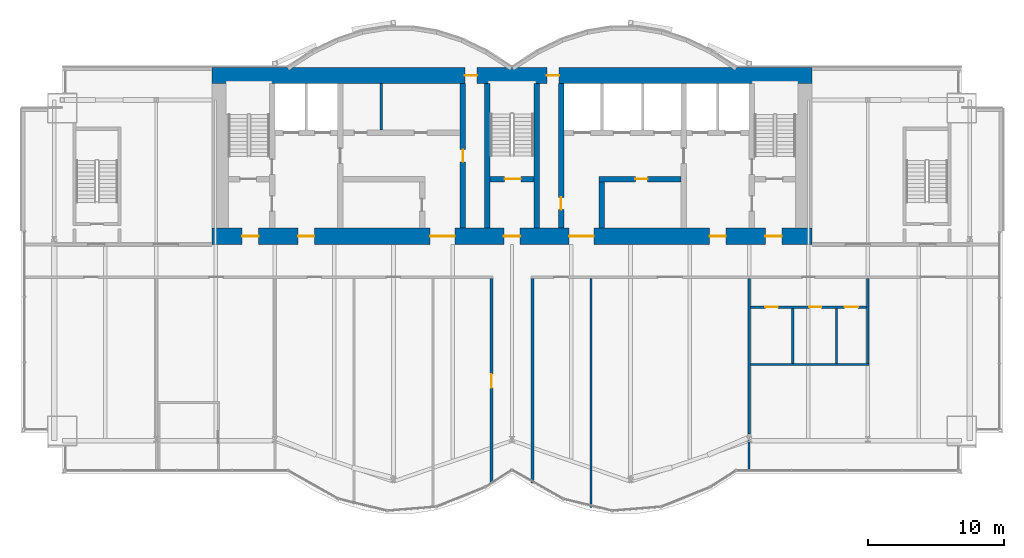
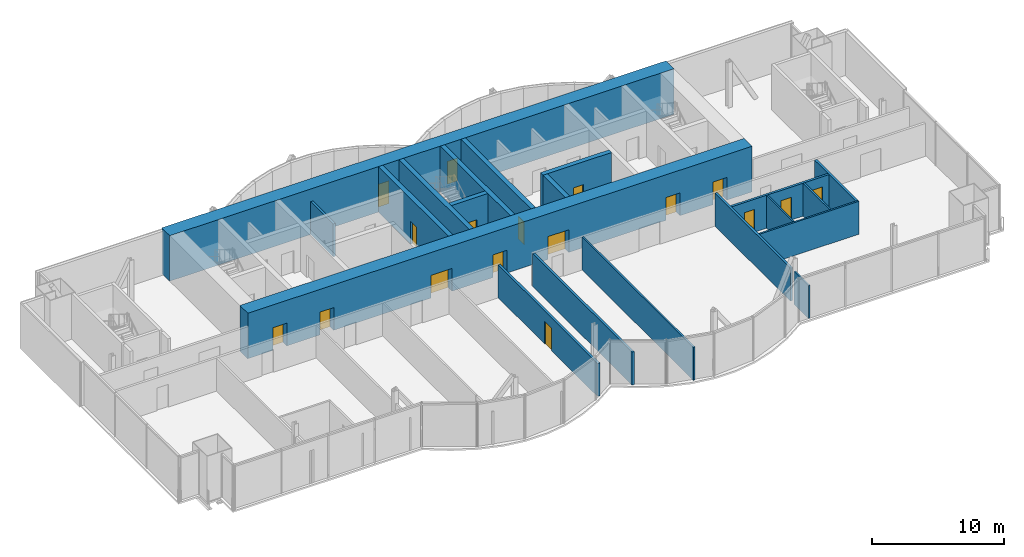
# One storey, part 15 of 20: 20 walls, 17 doors, 17 openings.
"""IFC4 building model written with IfcOpenShell, lengths in metres."""

from ifc_helpers import new_model, si_unit, direction, frame, frame_2d, origin, place, context, subcontext, project, spatial, rectangle, extrude, material, layer, layer_set, type_object, element, fill, save


model = new_model("IFC4")

# Units and contexts
model_context = context("Model", 3, precision=1e-05, world=origin(), true_north=direction((0.0, 1.0)))
body_context = subcontext(model_context, "Body", "Model", "MODEL_VIEW")
ifc_project = project(units=[si_unit("LENGTHUNIT", "METRE"), si_unit("AREAUNIT", "SQUARE_METRE"), si_unit("VOLUMEUNIT", "CUBIC_METRE"), si_unit("PLANEANGLEUNIT", "RADIAN"), si_unit("MASSUNIT", "GRAM", prefix="KILO")], contexts=[model_context])

# Site, building, storey
site_placement = place(None, origin())
site = spatial("IfcSite", under=ifc_project, at=site_placement, CompositionType="ELEMENT")
building_placement = place(site_placement, origin())
building = spatial("IfcBuilding", under=site, at=building_placement, Name="Bicima Exchange Tower", CompositionType="ELEMENT")
storey_placement = place(building_placement, frame((0.0, 0.0, 249.800048828125)))
storey = spatial("IfcBuildingStorey", under=building, at=storey_placement, Name="L56", CompositionType="ELEMENT", Elevation=249.800048828125)

# Wall, openings, doors
ifc_material_1 = material(Name="Gypsum board partition")
ifc_layer_1 = layer(ifc_material_1, 0.199951171875)
ifc_layer_set_1 = layer_set([ifc_layer_1], Name="Gypsum board partition")
wall_type_1 = type_object("IfcWallType", Name="Fire-rated gypsum partition 200 EI60", PredefinedType="PARTITIONING", material=ifc_layer_set_1)
wall_1_placement = place(storey_placement, frame((17.5, -17.60009765625, 0.0), z_axis=(0.0, 0.0, 1.0), x_axis=(1.0, 0.0, 0.0)))
wall_1 = element("IfcWall", 1, at=wall_1_placement, inside=storey, type_object=wall_type_1, Name="partition wall 3", PredefinedType="PARTITIONING", context=body_context, shape_type="SweptSolid", body=[
    extrude(rectangle(XDim=8.5, YDim=0.199951171875, at=frame_2d((4.25, 0.0))), origin(), (0.0, 0.0, 1.0), 3.039306640625),
])
opening_1_placement = place(wall_1_placement, frame((1.10009765625, 0.0, 0.0)))
opening_1 = element("IfcOpeningElement", 2, at=opening_1_placement, cuts=wall_1, Name="Opening L56-015", PredefinedType="OPENING", context=body_context, shape_type="SweptSolid", body=[
    extrude(rectangle(XDim=0.89990234375, YDim=2.10009765625, at=frame_2d((0.449951171875, 1.050048828125))), frame((0.0, 0.11181640625, 0.0), z_axis=(0.0, -1.0, 0.0), x_axis=(1.0, 0.0, 0.0)), (0.0, 0.0, 1.0), 0.223876953125),
])
opening_2_placement = place(wall_1_placement, frame((4.300048828125, 0.0, 0.0)))
opening_2 = element("IfcOpeningElement", 3, at=opening_2_placement, cuts=wall_1, Name="Opening L56-016", PredefinedType="OPENING", context=body_context, shape_type="SweptSolid", body=[
    extrude(rectangle(XDim=0.89990234375, YDim=2.10009765625, at=frame_2d((0.449951171875, 1.050048828125))), frame((0.0, 0.11181640625, 0.0), z_axis=(0.0, -1.0, 0.0), x_axis=(1.0, 0.0, 0.0)), (0.0, 0.0, 1.0), 0.223876953125),
])
opening_3_placement = place(wall_1_placement, frame((6.89990234375, 0.0, 0.0)))
opening_3 = element("IfcOpeningElement", 4, at=opening_3_placement, cuts=wall_1, Name="Opening L56-017", PredefinedType="OPENING", context=body_context, shape_type="SweptSolid", body=[
    extrude(rectangle(XDim=1.0, YDim=2.10009765625, at=frame_2d((0.5, 1.050048828125))), frame((0.0, 0.11181640625, 0.0), z_axis=(0.0, -1.0, 0.0), x_axis=(1.0, 0.0, 0.0)), (0.0, 0.0, 1.0), 0.223876953125),
])
ifc_material_2 = material(Name="Steel fire door leaf", Category="steel")
door_type_1 = type_object("IfcDoorType", Name="Door 1000 swing FD30S", OperationType="SINGLE_SWING_LEFT", PredefinedType="DOOR", material=ifc_material_2)
door_1_placement = place(opening_3_placement, frame((1.0, 0.0, 0.0), z_axis=(0.0, 0.0, 1.0), x_axis=(-1.0, 0.0, 0.0)))
door_1 = element("IfcDoor", 5, at=door_1_placement, inside=storey, type_object=door_type_1, Name="Door", OperationType="SINGLE_SWING_RIGHT", OverallHeight=2.10009765625, OverallWidth=1.0, PredefinedType="DOOR", context=body_context, shape_type="SweptSolid", body=[
    extrude(rectangle(XDim=1.0, YDim=2.10009765625, at=frame_2d((0.5, 1.050048828125))), frame((0.0, 0.02490234375, 0.0), z_axis=(0.0, -1.0, 0.0), x_axis=(1.0, 0.0, 0.0)), (0.0, 0.0, 1.0), 0.050048828125),
])
fill(opening_3, door_1)
door_type_2 = type_object("IfcDoorType", Name="Door 900 swing FD30S", OperationType="SINGLE_SWING_LEFT", PredefinedType="DOOR", material=ifc_material_2)
door_2_placement = place(opening_1_placement, frame((0.89990234375, 0.0, 0.0), z_axis=(0.0, 0.0, 1.0), x_axis=(-1.0, 0.0, 0.0)))
door_2 = element("IfcDoor", 6, at=door_2_placement, inside=storey, type_object=door_type_2, Name="Door", OperationType="SINGLE_SWING_RIGHT", OverallHeight=2.10009765625, OverallWidth=0.89990234375, PredefinedType="DOOR", context=body_context, shape_type="SweptSolid", body=[
    extrude(rectangle(XDim=0.89990234375, YDim=2.10009765625, at=frame_2d((0.449951171875, 1.050048828125))), frame((0.0, 0.02490234375, 0.0), z_axis=(0.0, -1.0, 0.0), x_axis=(1.0, 0.0, 0.0)), (0.0, 0.0, 1.0), 0.050048828125),
])
fill(opening_1, door_2)
door_3_placement = place(opening_2_placement, frame((0.89990234375, 0.0, 0.0), z_axis=(0.0, 0.0, 1.0), x_axis=(-1.0, 0.0, 0.0)))
door_3 = element("IfcDoor", 7, at=door_3_placement, inside=storey, type_object=door_type_2, Name="Door", OperationType="SINGLE_SWING_LEFT", OverallHeight=2.10009765625, OverallWidth=0.89990234375, PredefinedType="DOOR", context=body_context, shape_type="SweptSolid", body=[
    extrude(rectangle(XDim=0.89990234375, YDim=2.10009765625, at=frame_2d((0.449951171875, 1.050048828125))), frame((0.0, 0.02490234375, 0.0), z_axis=(0.0, -1.0, 0.0), x_axis=(1.0, 0.0, 0.0)), (0.0, 0.0, 1.0), 0.050048828125),
])
fill(opening_2, door_3)

# Wall, opening, door
wall_2_placement = place(storey_placement, frame((-1.5, -30.52001953125, 0.0), z_axis=(0.0, 0.0, 1.0), x_axis=(0.0, 1.0, 0.0)))
wall_2 = element("IfcWall", 8, at=wall_2_placement, inside=storey, type_object=wall_type_1, Name="partition wall 22", PredefinedType="PARTITIONING", context=body_context, shape_type="SweptSolid", body=[
    extrude(rectangle(XDim=15.02001953125, YDim=0.199951171875, at=frame_2d((7.510009765625, 0.0))), origin(), (0.0, 0.0, 1.0), 3.039306640625),
])
opening_4_placement = place(wall_2_placement, frame((7.0, 0.0, 0.0)))
opening_4 = element("IfcOpeningElement", 9, at=opening_4_placement, cuts=wall_2, Name="Opening L56-011", PredefinedType="OPENING", context=body_context, shape_type="SweptSolid", body=[
    extrude(rectangle(XDim=1.0, YDim=2.10009765625, at=frame_2d((0.5, 1.050048828125))), frame((0.0, 0.11181640625, 0.0), z_axis=(0.0, -1.0, 0.0), x_axis=(1.0, 0.0, 0.0)), (0.0, 0.0, 1.0), 0.223876953125),
])
door_4_placement = place(opening_4_placement, origin())
door_4 = element("IfcDoor", 10, at=door_4_placement, inside=storey, type_object=door_type_1, Name="Door", OperationType="SINGLE_SWING_LEFT", OverallHeight=2.10009765625, OverallWidth=1.0, PredefinedType="DOOR", context=body_context, shape_type="SweptSolid", body=[
    extrude(rectangle(XDim=1.0, YDim=2.10009765625, at=frame_2d((0.5, 1.050048828125))), frame((0.0, 0.02490234375, 0.0), z_axis=(0.0, -1.0, 0.0), x_axis=(1.0, 0.0, 0.0)), (0.0, 0.0, 1.0), 0.050048828125),
])
fill(opening_4, door_4)

# Walls
wall_3_placement = place(storey_placement, frame((1.5, -30.52001953125, 0.0), z_axis=(0.0, 0.0, 1.0), x_axis=(0.0, 1.0, 0.0)))
element("IfcWall", 11, at=wall_3_placement, inside=storey, type_object=wall_type_1, Name="partition wall 23", PredefinedType="PARTITIONING", context=body_context, shape_type="SweptSolid", body=[
    extrude(rectangle(XDim=15.02001953125, YDim=0.199951171875, at=frame_2d((7.510009765625, 0.0))), origin(), (0.0, 0.0, 1.0), 3.039306640625),
])
wall_4_placement = place(storey_placement, frame((17.39990234375, -26.91015625, 0.0), z_axis=(0.0, 0.0, 1.0), x_axis=(0.0, 1.0, 0.0)))
element("IfcWall", 12, at=wall_4_placement, inside=storey, type_object=wall_type_1, Name="partition wall 26", PredefinedType="PARTITIONING", context=body_context, shape_type="SweptSolid", body=[
    extrude(rectangle(XDim=11.41015625, YDim=0.199951171875, at=frame_2d((5.705078125, 0.0))), origin(), (0.0, 0.0, 1.0), 3.039306640625),
])
wall_5_placement = place(storey_placement, frame((26.10009765625, -21.72509765625, 0.0), z_axis=(0.0, 0.0, 1.0), x_axis=(0.0, 1.0, 0.0)))
element("IfcWall", 13, at=wall_5_placement, inside=storey, type_object=wall_type_1, Name="partition wall 29", PredefinedType="PARTITIONING", context=body_context, shape_type="SweptSolid", body=[
    extrude(rectangle(XDim=6.22509765625, YDim=0.199951171875, at=frame_2d((3.112548828125, 0.0))), origin(), (0.0, 0.0, 1.0), 3.039306640625),
])
wall_6_placement = place(storey_placement, frame((-9.60009765625, -4.60009765625, 0.0), z_axis=(0.0, 0.0, 1.0), x_axis=(0.0, 1.0, 0.0)))
element("IfcWall", 14, at=wall_6_placement, inside=storey, type_object=wall_type_1, Name="partition wall 11", PredefinedType="PARTITIONING", context=body_context, shape_type="SweptSolid", body=[
    extrude(rectangle(XDim=3.400146484375, YDim=0.199951171875, at=frame_2d((1.7001953125, 0.0))), origin(), (0.0, 0.0, 1.0), 3.039306640625),
])
ifc_layer_2 = layer(ifc_material_1, 0.14990234375)
ifc_layer_set_2 = layer_set([ifc_layer_2], Name="Gypsum board partition")
wall_type_2 = type_object("IfcWallType", Name="Gypsum partition 150", PredefinedType="PARTITIONING", material=ifc_layer_set_2)
wall_7_placement = place(storey_placement, frame((17.5, -21.800048828125, 0.0), z_axis=(0.0, 0.0, 1.0), x_axis=(1.0, 0.0, 0.0)))
element("IfcWall", 15, at=wall_7_placement, inside=storey, type_object=wall_type_2, Name="partition wall 2", PredefinedType="PARTITIONING", context=body_context, shape_type="SweptSolid", body=[
    extrude(rectangle(XDim=8.699951171875, YDim=0.14990234375, at=frame_2d((4.35009765625, 0.0))), origin(), (0.0, 0.0, 1.0), 3.039306640625),
])
wall_8_placement = place(storey_placement, frame((5.800048828125, -32.300048828125, 0.0), z_axis=(0.0, 0.0, 1.0), x_axis=(0.0, 1.0, 0.0)))
element("IfcWall", 16, at=wall_8_placement, inside=storey, type_object=wall_type_2, Name="partition wall 24", PredefinedType="PARTITIONING", context=body_context, shape_type="SweptSolid", body=[
    extrude(rectangle(XDim=16.800048828125, YDim=0.14990234375, at=frame_2d((8.39990234375, 0.0))), origin(), (0.0, 0.0, 1.0), 3.039306640625),
])
wall_9_placement = place(storey_placement, frame((17.39990234375, -29.590087890625, 0.0), z_axis=(0.0, 0.0, 1.0), x_axis=(0.0, 1.0, 0.0)))
element("IfcWall", 17, at=wall_9_placement, inside=storey, type_object=wall_type_2, Name="partition wall 25", PredefinedType="PARTITIONING", context=body_context, shape_type="SweptSolid", body=[
    extrude(rectangle(XDim=2.188232421875, YDim=0.14990234375, at=frame_2d((1.09423828125, 0.0))), origin(), (0.0, 0.0, 1.0), 3.039306640625),
])
for number, where, z_axis, x_axis, name in (
    (18, (20.60009765625, -21.72509765625, 0.0), (0.0, 0.0, 1.0), (0.0, 1.0, 0.0), "partition wall 27"),
    (19, (23.800048828125, -21.72509765625, 0.0), (0.0, 0.0, 1.0), (0.0, 1.0, 0.0), "partition wall 28"),
):
    element("IfcWall", number, at=place(storey_placement, frame(where, z_axis=z_axis, x_axis=x_axis)), inside=storey, type_object=wall_type_2, Name=name, PredefinedType="PARTITIONING", context=body_context, shape_type="SweptSolid", body=[
        extrude(rectangle(XDim=4.025146484375, YDim=0.14990234375, at=frame_2d((2.0126953125, 0.0))), origin(), (0.0, 0.0, 1.0), 3.039306640625),
    ])

# Wall, openings, doors
ifc_material_3 = material(Name="Concrete C40/50", Category="concrete")
ifc_layer_3 = layer(ifc_material_3, 1.199951171875)
ifc_layer_set_3 = layer_set([ifc_layer_3], Name="Concrete C40/50")
wall_type_3 = type_object("IfcWallType", Name="RC core wall 1200 C40/50", PredefinedType="SHEAR", material=ifc_layer_set_3)
wall_10_placement = place(storey_placement, frame((-22.0, -0.60009765625, 0.0), z_axis=(0.0, 0.0, 1.0), x_axis=(1.0, 0.0, 0.0)))
wall_10 = element("IfcWall", 20, at=wall_10_placement, inside=storey, type_object=wall_type_3, Name="Core wall north", PredefinedType="SHEAR", context=body_context, shape_type="SweptSolid", body=[
    extrude(rectangle(XDim=44.0, YDim=1.199951171875, at=frame_2d((22.0, 0.0))), origin(), (0.0, 0.0, 1.0), 4.199951171875),
])
opening_5_placement = place(wall_10_placement, frame((18.550048828125, 0.0, 0.0)))
opening_5 = element("IfcOpeningElement", 21, at=opening_5_placement, cuts=wall_10, Name="Opening L56-C16", PredefinedType="OPENING", context=body_context, shape_type="SweptSolid", body=[
    extrude(rectangle(XDim=0.89990234375, YDim=2.10009765625, at=frame_2d((0.449951171875, 1.050048828125))), frame((0.0, 0.61181640625, 0.0), z_axis=(0.0, -1.0, 0.0), x_axis=(1.0, 0.0, 0.0)), (0.0, 0.0, 1.0), 1.223876953125),
])
opening_6_placement = place(wall_10_placement, frame((24.550048828125, 0.0, 0.0)))
opening_6 = element("IfcOpeningElement", 22, at=opening_6_placement, cuts=wall_10, Name="Opening L56-C17", PredefinedType="OPENING", context=body_context, shape_type="SweptSolid", body=[
    extrude(rectangle(XDim=0.89990234375, YDim=2.10009765625, at=frame_2d((0.449951171875, 1.050048828125))), frame((0.0, 0.61181640625, 0.0), z_axis=(0.0, -1.0, 0.0), x_axis=(1.0, 0.0, 0.0)), (0.0, 0.0, 1.0), 1.223876953125),
])
door_5_placement = place(opening_5_placement, origin())
door_5 = element("IfcDoor", 23, at=door_5_placement, inside=storey, type_object=door_type_2, Name="Core door", OperationType="SINGLE_SWING_LEFT", OverallHeight=2.10009765625, OverallWidth=0.89990234375, PredefinedType="DOOR", context=body_context, shape_type="SweptSolid", body=[
    extrude(rectangle(XDim=0.89990234375, YDim=2.10009765625, at=frame_2d((0.449951171875, 1.050048828125))), frame((0.0, 0.02490234375, 0.0), z_axis=(0.0, -1.0, 0.0), x_axis=(1.0, 0.0, 0.0)), (0.0, 0.0, 1.0), 0.050048828125),
])
fill(opening_5, door_5)
door_6_placement = place(opening_6_placement, origin())
door_6 = element("IfcDoor", 24, at=door_6_placement, inside=storey, type_object=door_type_2, Name="Core door", OperationType="SINGLE_SWING_LEFT", OverallHeight=2.10009765625, OverallWidth=0.89990234375, PredefinedType="DOOR", context=body_context, shape_type="SweptSolid", body=[
    extrude(rectangle(XDim=0.89990234375, YDim=2.10009765625, at=frame_2d((0.449951171875, 1.050048828125))), frame((0.0, 0.02490234375, 0.0), z_axis=(0.0, -1.0, 0.0), x_axis=(1.0, 0.0, 0.0)), (0.0, 0.0, 1.0), 0.050048828125),
])
fill(opening_6, door_6)

wall_11_placement = place(storey_placement, frame((-22.0, -12.39990234375, 0.0), z_axis=(0.0, 0.0, 1.0), x_axis=(1.0, 0.0, 0.0)))
wall_11 = element("IfcWall", 25, at=wall_11_placement, inside=storey, type_object=wall_type_3, Name="Core wall south", PredefinedType="SHEAR", context=body_context, shape_type="SweptSolid", body=[
    extrude(rectangle(XDim=44.0, YDim=1.199951171875, at=frame_2d((22.0, 0.0))), origin(), (0.0, 0.0, 1.0), 4.199951171875),
])
opening_7_placement = place(wall_11_placement, frame((2.199951171875, 0.0, 0.0)))
opening_7 = element("IfcOpeningElement", 26, at=opening_7_placement, cuts=wall_11, Name="Opening L56-C18", PredefinedType="OPENING", context=body_context, shape_type="SweptSolid", body=[
    extrude(rectangle(XDim=1.199951171875, YDim=2.10009765625, at=frame_2d((0.60009765625, 1.050048828125))), frame((0.0, 0.61181640625, 0.0), z_axis=(0.0, -1.0, 0.0), x_axis=(1.0, 0.0, 0.0)), (0.0, 0.0, 1.0), 1.223876953125),
])
opening_8_placement = place(wall_11_placement, frame((21.39990234375, 0.0, 0.0)))
opening_8 = element("IfcOpeningElement", 27, at=opening_8_placement, cuts=wall_11, Name="Opening L56-C19", PredefinedType="OPENING", context=body_context, shape_type="SweptSolid", body=[
    extrude(rectangle(XDim=1.199951171875, YDim=2.10009765625, at=frame_2d((0.60009765625, 1.050048828125))), frame((0.0, 0.61181640625, 0.0), z_axis=(0.0, -1.0, 0.0), x_axis=(1.0, 0.0, 0.0)), (0.0, 0.0, 1.0), 1.223876953125),
])
opening_9_placement = place(wall_11_placement, frame((40.60009765625, 0.0, 0.0)))
opening_9 = element("IfcOpeningElement", 28, at=opening_9_placement, cuts=wall_11, Name="Opening L56-C20", PredefinedType="OPENING", context=body_context, shape_type="SweptSolid", body=[
    extrude(rectangle(XDim=1.199951171875, YDim=2.10009765625, at=frame_2d((0.60009765625, 1.050048828125))), frame((0.0, 0.61181640625, 0.0), z_axis=(0.0, -1.0, 0.0), x_axis=(1.0, 0.0, 0.0)), (0.0, 0.0, 1.0), 1.223876953125),
])
opening_10_placement = place(wall_11_placement, frame((16.0, 0.0, 0.0)))
opening_10 = element("IfcOpeningElement", 29, at=opening_10_placement, cuts=wall_11, Name="Opening L56-C21", PredefinedType="OPENING", context=body_context, shape_type="SweptSolid", body=[
    extrude(rectangle(XDim=1.800048828125, YDim=2.10009765625, at=frame_2d((0.89990234375, 1.050048828125))), frame((0.0, 0.61181640625, 0.0), z_axis=(0.0, -1.0, 0.0), x_axis=(1.0, 0.0, 0.0)), (0.0, 0.0, 1.0), 1.223876953125),
])
opening_11_placement = place(wall_11_placement, frame((6.300048828125, 0.0, 0.0)))
opening_11 = element("IfcOpeningElement", 30, at=opening_11_placement, cuts=wall_11, Name="Opening L56-C22", PredefinedType="OPENING", context=body_context, shape_type="SweptSolid", body=[
    extrude(rectangle(XDim=1.199951171875, YDim=2.10009765625, at=frame_2d((0.60009765625, 1.050048828125))), frame((0.0, 0.61181640625, 0.0), z_axis=(0.0, -1.0, 0.0), x_axis=(1.0, 0.0, 0.0)), (0.0, 0.0, 1.0), 1.223876953125),
])
opening_12_placement = place(wall_11_placement, frame((26.199951171875, 0.0, 0.0)))
opening_12 = element("IfcOpeningElement", 31, at=opening_12_placement, cuts=wall_11, Name="Opening L56-C23", PredefinedType="OPENING", context=body_context, shape_type="SweptSolid", body=[
    extrude(rectangle(XDim=1.800048828125, YDim=2.10009765625, at=frame_2d((0.89990234375, 1.050048828125))), frame((0.0, 0.61181640625, 0.0), z_axis=(0.0, -1.0, 0.0), x_axis=(1.0, 0.0, 0.0)), (0.0, 0.0, 1.0), 1.223876953125),
])
opening_13_placement = place(wall_11_placement, frame((36.5, 0.0, 0.0)))
opening_13 = element("IfcOpeningElement", 32, at=opening_13_placement, cuts=wall_11, Name="Opening L56-C24", PredefinedType="OPENING", context=body_context, shape_type="SweptSolid", body=[
    extrude(rectangle(XDim=1.199951171875, YDim=2.10009765625, at=frame_2d((0.60009765625, 1.050048828125))), frame((0.0, 0.61181640625, 0.0), z_axis=(0.0, -1.0, 0.0), x_axis=(1.0, 0.0, 0.0)), (0.0, 0.0, 1.0), 1.223876953125),
])
door_type_3 = type_object("IfcDoorType", Name="Door 1200 swing FD60S", OperationType="SINGLE_SWING_LEFT", PredefinedType="DOOR", material=ifc_material_2)
door_7_placement = place(opening_7_placement, frame((1.199951171875, 0.0, 0.0), z_axis=(0.0, 0.0, 1.0), x_axis=(-1.0, 0.0, 0.0)))
door_7 = element("IfcDoor", 33, at=door_7_placement, inside=storey, type_object=door_type_3, Name="Core door", OperationType="SINGLE_SWING_RIGHT", OverallHeight=2.10009765625, OverallWidth=1.199951171875, PredefinedType="DOOR", context=body_context, shape_type="SweptSolid", body=[
    extrude(rectangle(XDim=1.199951171875, YDim=2.10009765625, at=frame_2d((0.60009765625, 1.050048828125))), frame((0.0, 0.02490234375, 0.0), z_axis=(0.0, -1.0, 0.0), x_axis=(1.0, 0.0, 0.0)), (0.0, 0.0, 1.0), 0.050048828125),
])
fill(opening_7, door_7)
door_8_placement = place(opening_8_placement, frame((1.199951171875, 0.0, 0.0), z_axis=(0.0, 0.0, 1.0), x_axis=(-1.0, 0.0, 0.0)))
door_8 = element("IfcDoor", 34, at=door_8_placement, inside=storey, type_object=door_type_3, Name="Core door", OperationType="SINGLE_SWING_RIGHT", OverallHeight=2.10009765625, OverallWidth=1.199951171875, PredefinedType="DOOR", context=body_context, shape_type="SweptSolid", body=[
    extrude(rectangle(XDim=1.199951171875, YDim=2.10009765625, at=frame_2d((0.60009765625, 1.050048828125))), frame((0.0, 0.02490234375, 0.0), z_axis=(0.0, -1.0, 0.0), x_axis=(1.0, 0.0, 0.0)), (0.0, 0.0, 1.0), 0.050048828125),
])
fill(opening_8, door_8)
door_9_placement = place(opening_9_placement, frame((1.199951171875, 0.0, 0.0), z_axis=(0.0, 0.0, 1.0), x_axis=(-1.0, 0.0, 0.0)))
door_9 = element("IfcDoor", 35, at=door_9_placement, inside=storey, type_object=door_type_3, Name="Core door", OperationType="SINGLE_SWING_RIGHT", OverallHeight=2.10009765625, OverallWidth=1.199951171875, PredefinedType="DOOR", context=body_context, shape_type="SweptSolid", body=[
    extrude(rectangle(XDim=1.199951171875, YDim=2.10009765625, at=frame_2d((0.60009765625, 1.050048828125))), frame((0.0, 0.02490234375, 0.0), z_axis=(0.0, -1.0, 0.0), x_axis=(1.0, 0.0, 0.0)), (0.0, 0.0, 1.0), 0.050048828125),
])
fill(opening_9, door_9)
door_10_placement = place(opening_11_placement, frame((1.199951171875, 0.0, 0.0), z_axis=(0.0, 0.0, 1.0), x_axis=(-1.0, 0.0, 0.0)))
door_10 = element("IfcDoor", 36, at=door_10_placement, inside=storey, type_object=door_type_3, Name="Core door", OperationType="SINGLE_SWING_RIGHT", OverallHeight=2.10009765625, OverallWidth=1.199951171875, PredefinedType="DOOR", context=body_context, shape_type="SweptSolid", body=[
    extrude(rectangle(XDim=1.199951171875, YDim=2.10009765625, at=frame_2d((0.60009765625, 1.050048828125))), frame((0.0, 0.02490234375, 0.0), z_axis=(0.0, -1.0, 0.0), x_axis=(1.0, 0.0, 0.0)), (0.0, 0.0, 1.0), 0.050048828125),
])
fill(opening_11, door_10)
door_11_placement = place(opening_13_placement, frame((1.199951171875, 0.0, 0.0), z_axis=(0.0, 0.0, 1.0), x_axis=(-1.0, 0.0, 0.0)))
door_11 = element("IfcDoor", 37, at=door_11_placement, inside=storey, type_object=door_type_3, Name="Core door", OperationType="SINGLE_SWING_RIGHT", OverallHeight=2.10009765625, OverallWidth=1.199951171875, PredefinedType="DOOR", context=body_context, shape_type="SweptSolid", body=[
    extrude(rectangle(XDim=1.199951171875, YDim=2.10009765625, at=frame_2d((0.60009765625, 1.050048828125))), frame((0.0, 0.02490234375, 0.0), z_axis=(0.0, -1.0, 0.0), x_axis=(1.0, 0.0, 0.0)), (0.0, 0.0, 1.0), 0.050048828125),
])
fill(opening_13, door_11)
door_type_4 = type_object("IfcDoorType", Name="Door 1800 double swing FD30S", OperationType="DOUBLE_DOOR_SINGLE_SWING", PredefinedType="DOOR", material=ifc_material_2)
door_12_placement = place(opening_10_placement, origin())
door_12 = element("IfcDoor", 38, at=door_12_placement, inside=storey, type_object=door_type_4, Name="Core door", OperationType="SINGLE_SWING_LEFT", OverallHeight=2.10009765625, OverallWidth=1.800048828125, PredefinedType="DOOR", context=body_context, shape_type="SweptSolid", body=[
    extrude(rectangle(XDim=1.800048828125, YDim=2.10009765625, at=frame_2d((0.89990234375, 1.050048828125))), frame((0.0, 0.02490234375, 0.0), z_axis=(0.0, -1.0, 0.0), x_axis=(1.0, 0.0, 0.0)), (0.0, 0.0, 1.0), 0.050048828125),
])
fill(opening_10, door_12)
door_13_placement = place(opening_12_placement, origin())
door_13 = element("IfcDoor", 39, at=door_13_placement, inside=storey, type_object=door_type_4, Name="Core door", OperationType="SINGLE_SWING_LEFT", OverallHeight=2.10009765625, OverallWidth=1.800048828125, PredefinedType="DOOR", context=body_context, shape_type="SweptSolid", body=[
    extrude(rectangle(XDim=1.800048828125, YDim=2.10009765625, at=frame_2d((0.89990234375, 1.050048828125))), frame((0.0, 0.02490234375, 0.0), z_axis=(0.0, -1.0, 0.0), x_axis=(1.0, 0.0, 0.0)), (0.0, 0.0, 1.0), 0.050048828125),
])
fill(opening_12, door_13)

# Wall, opening, door
ifc_layer_4 = layer(ifc_material_3, 0.39990234375)
ifc_layer_set_4 = layer_set([ifc_layer_4], Name="Concrete C40/50")
wall_type_4 = type_object("IfcWallType", Name="RC core wall 400 C40/50", PredefinedType="SHEAR", material=ifc_layer_set_4)
wall_12_placement = place(storey_placement, frame((6.39990234375, -8.199951171875, 0.0), z_axis=(0.0, 0.0, 1.0), x_axis=(1.0, 0.0, 0.0)))
wall_12 = element("IfcWall", 40, at=wall_12_placement, inside=storey, type_object=wall_type_4, Name="shear wall 4", PredefinedType="SHEAR", context=body_context, shape_type="SweptSolid", body=[
    extrude(rectangle(XDim=6.0, YDim=0.39990234375, at=frame_2d((3.0, 0.0))), origin(), (0.0, 0.0, 1.0), 4.199951171875),
])
opening_14_placement = place(wall_12_placement, frame((2.64990234375, 0.0, 0.0)))
opening_14 = element("IfcOpeningElement", 41, at=opening_14_placement, cuts=wall_12, Name="Opening L56-C15", PredefinedType="OPENING", context=body_context, shape_type="SweptSolid", body=[
    extrude(rectangle(XDim=0.89990234375, YDim=2.10009765625, at=frame_2d((0.449951171875, 1.050048828125))), frame((0.0, 0.2119140625, 0.0), z_axis=(0.0, -1.0, 0.0), x_axis=(1.0, 0.0, 0.0)), (0.0, 0.0, 1.0), 0.423828125),
])
door_14_placement = place(opening_14_placement, frame((0.89990234375, 0.0, 0.0), z_axis=(0.0, 0.0, 1.0), x_axis=(-1.0, 0.0, 0.0)))
door_14 = element("IfcDoor", 42, at=door_14_placement, inside=storey, type_object=door_type_2, Name="Core door", OperationType="SINGLE_SWING_RIGHT", OverallHeight=2.10009765625, OverallWidth=0.89990234375, PredefinedType="DOOR", context=body_context, shape_type="SweptSolid", body=[
    extrude(rectangle(XDim=0.89990234375, YDim=2.10009765625, at=frame_2d((0.449951171875, 1.050048828125))), frame((0.0, 0.02490234375, 0.0), z_axis=(0.0, -1.0, 0.0), x_axis=(1.0, 0.0, 0.0)), (0.0, 0.0, 1.0), 0.050048828125),
])
fill(opening_14, door_14)

wall_13_placement = place(storey_placement, frame((-3.60009765625, -11.800048828125, 0.0), z_axis=(0.0, 0.0, 1.0), x_axis=(0.0, 1.0, 0.0)))
wall_13 = element("IfcWall", 43, at=wall_13_placement, inside=storey, type_object=wall_type_4, Name="shear wall 13", PredefinedType="SHEAR", context=body_context, shape_type="SweptSolid", body=[
    extrude(rectangle(XDim=10.60009765625, YDim=0.39990234375, at=frame_2d((5.300048828125, 0.0))), origin(), (0.0, 0.0, 1.0), 4.199951171875),
])
opening_15_placement = place(wall_13_placement, frame((4.85009765625, 0.0, 0.0)))
opening_15 = element("IfcOpeningElement", 44, at=opening_15_placement, cuts=wall_13, Name="Opening L56-C10", PredefinedType="OPENING", context=body_context, shape_type="SweptSolid", body=[
    extrude(rectangle(XDim=0.89990234375, YDim=2.10009765625, at=frame_2d((0.449951171875, 1.050048828125))), frame((0.0, 0.2119140625, 0.0), z_axis=(0.0, -1.0, 0.0), x_axis=(1.0, 0.0, 0.0)), (0.0, 0.0, 1.0), 0.423828125),
])
door_15_placement = place(opening_15_placement, frame((0.89990234375, 0.0, 0.0), z_axis=(0.0, 0.0, 1.0), x_axis=(-1.0, 0.0, 0.0)))
door_15 = element("IfcDoor", 45, at=door_15_placement, inside=storey, type_object=door_type_2, Name="Core door", OperationType="SINGLE_SWING_LEFT", OverallHeight=2.10009765625, OverallWidth=0.89990234375, PredefinedType="DOOR", context=body_context, shape_type="SweptSolid", body=[
    extrude(rectangle(XDim=0.89990234375, YDim=2.10009765625, at=frame_2d((0.449951171875, 1.050048828125))), frame((0.0, 0.02490234375, 0.0), z_axis=(0.0, -1.0, 0.0), x_axis=(1.0, 0.0, 0.0)), (0.0, 0.0, 1.0), 0.050048828125),
])
fill(opening_15, door_15)

wall_14_placement = place(storey_placement, frame((3.60009765625, -11.800048828125, 0.0), z_axis=(0.0, 0.0, 1.0), x_axis=(0.0, 1.0, 0.0)))
wall_14 = element("IfcWall", 46, at=wall_14_placement, inside=storey, type_object=wall_type_4, Name="shear wall 16", PredefinedType="SHEAR", context=body_context, shape_type="SweptSolid", body=[
    extrude(rectangle(XDim=10.60009765625, YDim=0.39990234375, at=frame_2d((5.300048828125, 0.0))), origin(), (0.0, 0.0, 1.0), 4.199951171875),
])
opening_16_placement = place(wall_14_placement, frame((1.35009765625, 0.0, 0.0)))
opening_16 = element("IfcOpeningElement", 47, at=opening_16_placement, cuts=wall_14, Name="Opening L56-C11", PredefinedType="OPENING", context=body_context, shape_type="SweptSolid", body=[
    extrude(rectangle(XDim=0.89990234375, YDim=2.10009765625, at=frame_2d((0.449951171875, 1.050048828125))), frame((0.0, 0.2119140625, 0.0), z_axis=(0.0, -1.0, 0.0), x_axis=(1.0, 0.0, 0.0)), (0.0, 0.0, 1.0), 0.423828125),
])
door_16_placement = place(opening_16_placement, origin())
door_16 = element("IfcDoor", 48, at=door_16_placement, inside=storey, type_object=door_type_2, Name="Core door", OperationType="SINGLE_SWING_LEFT", OverallHeight=2.10009765625, OverallWidth=0.89990234375, PredefinedType="DOOR", context=body_context, shape_type="SweptSolid", body=[
    extrude(rectangle(XDim=0.89990234375, YDim=2.10009765625, at=frame_2d((0.449951171875, 1.050048828125))), frame((0.0, 0.02490234375, 0.0), z_axis=(0.0, -1.0, 0.0), x_axis=(1.0, 0.0, 0.0)), (0.0, 0.0, 1.0), 0.050048828125),
])
fill(opening_16, door_16)

# Wall
wall_15_placement = place(storey_placement, frame((6.60009765625, -11.800048828125, 0.0), z_axis=(0.0, 0.0, 1.0), x_axis=(0.0, 1.0, 0.0)))
element("IfcWall", 49, at=wall_15_placement, inside=storey, type_object=wall_type_4, Name="shear wall 17", PredefinedType="SHEAR", context=body_context, shape_type="SweptSolid", body=[
    extrude(rectangle(XDim=3.400146484375, YDim=0.39990234375, at=frame_2d((1.7001953125, 0.0))), origin(), (0.0, 0.0, 1.0), 4.199951171875),
])

# Wall, opening, door
ifc_material_4 = material(Name="Concrete C50/60", Category="concrete")
ifc_layer_5 = layer(ifc_material_4, 0.39990234375)
ifc_layer_set_5 = layer_set([ifc_layer_5], Name="Concrete C50/60")
wall_type_5 = type_object("IfcWallType", Name="RC core wall 400 C50/60", PredefinedType="SHEAR", material=ifc_layer_set_5)
wall_16_placement = place(storey_placement, frame((-1.60009765625, -8.199951171875, 0.0), z_axis=(0.0, 0.0, 1.0), x_axis=(1.0, 0.0, 0.0)))
wall_16 = element("IfcWall", 50, at=wall_16_placement, inside=storey, type_object=wall_type_5, Name="stair wall 3", PredefinedType="SHEAR", context=body_context, shape_type="SweptSolid", body=[
    extrude(rectangle(XDim=3.2001953125, YDim=0.39990234375, at=frame_2d((1.60009765625, 0.0))), origin(), (0.0, 0.0, 1.0), 4.199951171875),
])
opening_17_placement = place(wall_16_placement, frame((1.050048828125, 0.0, 0.0)))
opening_17 = element("IfcOpeningElement", 51, at=opening_17_placement, cuts=wall_16, Name="Opening L56-C03", PredefinedType="OPENING", context=body_context, shape_type="SweptSolid", body=[
    extrude(rectangle(XDim=1.199951171875, YDim=2.10009765625, at=frame_2d((0.60009765625, 1.050048828125))), frame((0.0, 0.2119140625, 0.0), z_axis=(0.0, -1.0, 0.0), x_axis=(1.0, 0.0, 0.0)), (0.0, 0.0, 1.0), 0.423828125),
])
door_17_placement = place(opening_17_placement, origin())
door_17 = element("IfcDoor", 52, at=door_17_placement, inside=storey, type_object=door_type_3, Name="Core door", OperationType="SINGLE_SWING_LEFT", OverallHeight=2.10009765625, OverallWidth=1.199951171875, PredefinedType="DOOR", context=body_context, shape_type="SweptSolid", body=[
    extrude(rectangle(XDim=1.199951171875, YDim=2.10009765625, at=frame_2d((0.60009765625, 1.050048828125))), frame((0.0, 0.02490234375, 0.0), z_axis=(0.0, -1.0, 0.0), x_axis=(1.0, 0.0, 0.0)), (0.0, 0.0, 1.0), 0.050048828125),
])
fill(opening_17, door_17)

# Walls
for number, where, z_axis, x_axis, name in (
    (53, (-1.800048828125, -11.800048828125, 0.0), (0.0, 0.0, 1.0), (0.0, 1.0, 0.0), "stair wall 14"),
    (54, (1.800048828125, -11.800048828125, 0.0), (0.0, 0.0, 1.0), (0.0, 1.0, 0.0), "stair wall 15"),
):
    element("IfcWall", number, at=place(storey_placement, frame(where, z_axis=z_axis, x_axis=x_axis)), inside=storey, type_object=wall_type_5, Name=name, PredefinedType="SHEAR", context=body_context, shape_type="SweptSolid", body=[
        extrude(rectangle(XDim=10.60009765625, YDim=0.39990234375, at=frame_2d((5.300048828125, 0.0))), origin(), (0.0, 0.0, 1.0), 4.199951171875),
    ])

save(model, "model.ifc")
